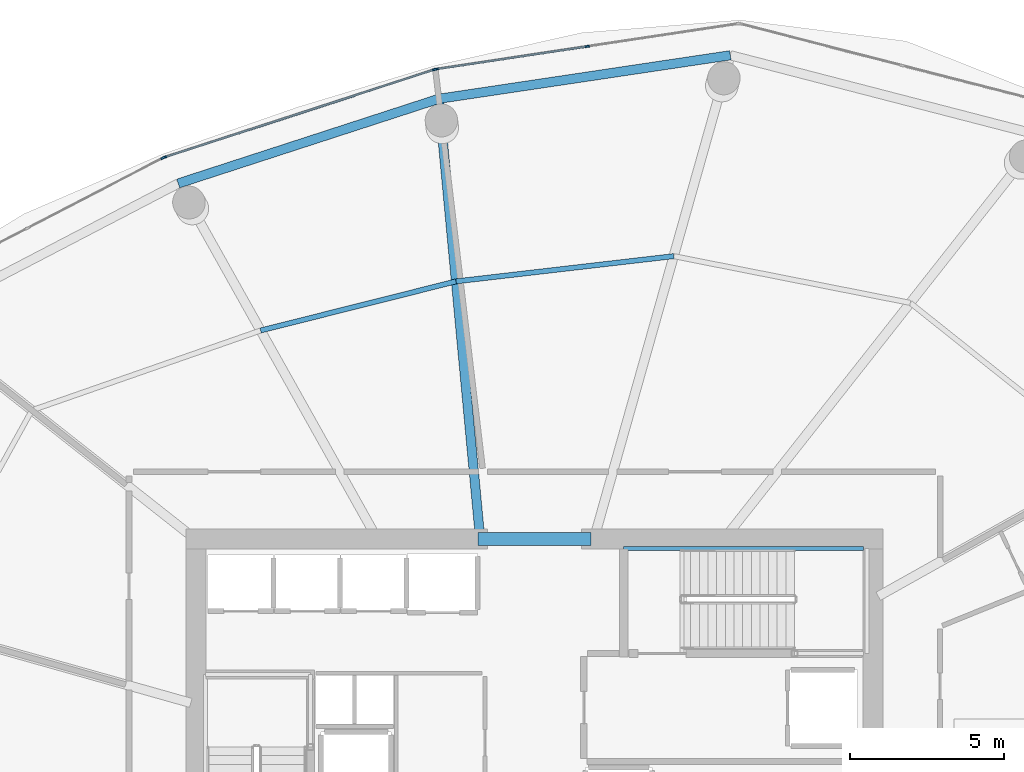
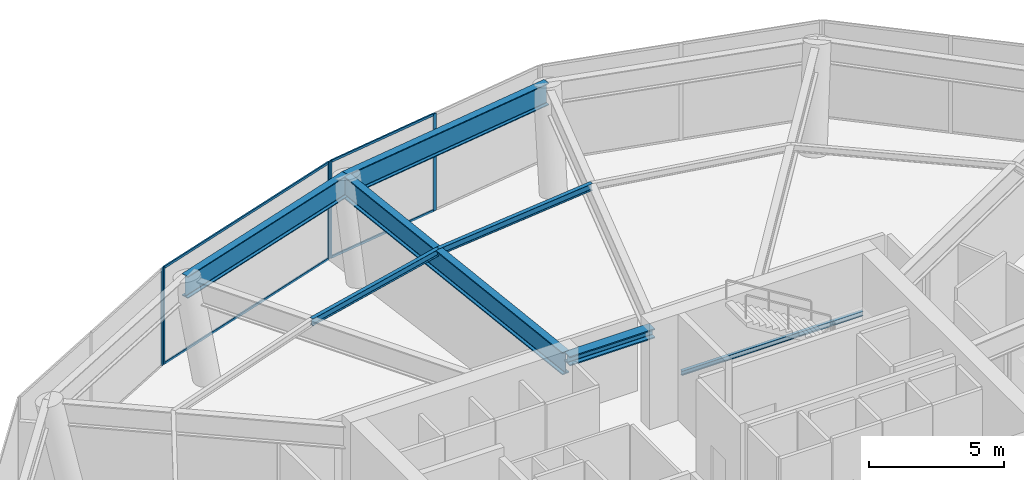
# One storey, part 12 of 22: 9 members, 7 beams, 3 elements without a shape of their own.
"""IFC4 building model written with IfcOpenShell, lengths in metres."""

from ifc_helpers import new_model, si_unit, direction, frame, origin, origin_2d, place, context, subcontext, project, spatial, rectangle, i_section, extrude, material, layer, layer_set, material_profile, profile_set, type_object, element, aggregate, save


model = new_model("IFC4")

# Units and contexts
model_context = context("Model", 3, precision=1e-05, world=origin(), true_north=direction((0.0, 1.0)))
body_context = subcontext(model_context, "Body", "Model", "MODEL_VIEW")
ifc_project = project(units=[si_unit("LENGTHUNIT", "METRE"), si_unit("AREAUNIT", "SQUARE_METRE"), si_unit("VOLUMEUNIT", "CUBIC_METRE"), si_unit("PLANEANGLEUNIT", "RADIAN"), si_unit("MASSUNIT", "GRAM", prefix="KILO")], contexts=[model_context])

# Site, building, storey
site_placement = place(None, origin())
site = spatial("IfcSite", under=ifc_project, at=site_placement, CompositionType="ELEMENT")
building_placement = place(site_placement, origin())
building = spatial("IfcBuilding", under=site, at=building_placement, Name="Kazma Halo Residences", CompositionType="ELEMENT")
storey_placement = place(building_placement, frame((0.0, 0.0, 231.89990234375)))
storey = spatial("IfcBuildingStorey", under=building, at=storey_placement, Name="L58", CompositionType="ELEMENT", Elevation=231.89990234375)

# Beams
ifc_material_1 = material(Name="Steel S355", Category="steel")
ifc_material_profile_1 = material_profile(ifc_material_1, i_section(OverallWidth=0.408935546875, OverallDepth=0.425048828125, WebThickness=0.03271484375, FlangeThickness=0.052490234375, FilletRadius=0.02001953125, at=origin_2d()), Name="W360x421")
ifc_profile_set_1 = profile_set([ifc_material_profile_1], Name="Steel S355")
beam_type_1 = type_object("IfcBeamType", Name="BM-CORE-W360H", PredefinedType="BEAM", material=ifc_profile_set_1)
beam_1_placement = place(storey_placement, frame((46.60009765625, 50.324951171875, 4.1875), z_axis=(1.0, 0.0, 0.0), x_axis=(0.0, 1.0, 0.0)))
element("IfcBeam", 1, at=beam_1_placement, inside=storey, type_object=beam_type_1, Name="L58 core coupling beam N", PredefinedType="BEAM", context=body_context, shape_type="SweptSolid", body=[
    extrude(i_section(OverallWidth=0.408935546875, OverallDepth=0.425048828125, WebThickness=0.03271484375, FlangeThickness=0.052490234375, FilletRadius=0.02001953125, at=origin_2d()), origin(), (0.0, 0.0, 1.0), 3.64990234375),
])
ifc_material_profile_2 = material_profile(ifc_material_1, i_section(OverallWidth=0.1650390625, OverallDepth=0.31005859375, WebThickness=0.005859375, FlangeThickness=0.009765625, FilletRadius=0.011962890625, at=origin_2d()), Name="W310x38.7")
ifc_profile_set_2 = profile_set([ifc_material_profile_2], Name="Steel S355")
beam_type_2 = type_object("IfcBeamType", Name="BM-SEC-W310B", PredefinedType="JOIST", material=ifc_profile_set_2)
beam_2_placement = place(storey_placement, frame((52.92919921875, 59.47802734375, 4.2451171875), z_axis=(-0.993345621892, -0.115171504586, 0.0), x_axis=(0.115171504586, -0.993345621892, 0.0)))
element("IfcBeam", 2, at=beam_2_placement, inside=storey, type_object=beam_type_2, Name="L58 circumferential floor joist 03", PredefinedType="JOIST", context=body_context, shape_type="SweptSolid", body=[
    extrude(i_section(OverallWidth=0.1650390625, OverallDepth=0.31005859375, WebThickness=0.005859375, FlangeThickness=0.009765625, FilletRadius=0.011962890625, at=origin_2d()), origin(), (0.0, 0.0, 1.0), 7.0927734375),
])
beam_3_placement = place(storey_placement, frame((45.883544921875, 58.6611328125, 4.2451171875), z_axis=(-0.969831165846, -0.243777582551, 0.0), x_axis=(0.243777582551, -0.969831165846, 0.0)))
element("IfcBeam", 3, at=beam_3_placement, inside=storey, type_object=beam_type_2, Name="L58 circumferential floor joist 04", PredefinedType="JOIST", context=body_context, shape_type="SweptSolid", body=[
    extrude(i_section(OverallWidth=0.1650390625, OverallDepth=0.31005859375, WebThickness=0.005859375, FlangeThickness=0.009765625, FilletRadius=0.011962890625, at=origin_2d()), origin(), (0.0, 0.0, 1.0), 6.520751953125),
])
ifc_material_profile_3 = material_profile(ifc_material_1, i_section(OverallWidth=0.302001953125, OverallDepth=1.01806640625, WebThickness=0.021484375, FlangeThickness=0.049072265625, FilletRadius=0.028076171875, at=origin_2d()), Name="W1000x443")
ifc_profile_set_3 = profile_set([ifc_material_profile_3], Name="Steel S355")
beam_type_3 = type_object("IfcBeamType", Name="BM-TRANS-W1000A", PredefinedType="BEAM", material=ifc_profile_set_3)
beam_4_placement = place(storey_placement, frame((46.64990234375, 50.5, 3.89111328125), z_axis=(-0.093491616101, 0.995620066953, 0.0), x_axis=(-0.995620066953, -0.093491616101, 0.0)))
element("IfcBeam", 4, at=beam_4_placement, inside=storey, type_object=beam_type_3, Name="L58 podium radial transfer girder 04", PredefinedType="BEAM", context=body_context, shape_type="SweptSolid", body=[
    extrude(i_section(OverallWidth=0.302001953125, OverallDepth=1.01806640625, WebThickness=0.021484375, FlangeThickness=0.049072265625, FilletRadius=0.028076171875, at=origin_2d()), origin(), (0.0, 0.0, 1.0), 14.1328125),
])
ifc_material_profile_4 = material_profile(ifc_material_1, i_section(OverallWidth=0.300048828125, OverallDepth=1.0, WebThickness=0.01904296875, FlangeThickness=0.0400390625, FilletRadius=0.02587890625, at=origin_2d()), Name="W1000x371")
ifc_profile_set_4 = profile_set([ifc_material_profile_4], Name="Steel S355")
beam_type_4 = type_object("IfcBeamType", Name="BM-TRANS-W1000B", PredefinedType="BEAM", material=ifc_profile_set_4)
beam_5_placement = place(storey_placement, frame((54.762939453125, 65.9794921875, 3.900146484375), z_axis=(-0.989035441627, -0.147678350495, 0.0), x_axis=(0.147678350495, -0.989035441627, 0.0)))
element("IfcBeam", 5, at=beam_5_placement, inside=storey, type_object=beam_type_4, Name="L58 perimeter ring beam 03", PredefinedType="BEAM", context=body_context, shape_type="SweptSolid", body=[
    extrude(i_section(OverallWidth=0.300048828125, OverallDepth=1.0, WebThickness=0.01904296875, FlangeThickness=0.0400390625, FilletRadius=0.02587890625, at=origin_2d()), origin(), (0.0, 0.0, 1.0), 9.538818359375),
])
beam_6_placement = place(storey_placement, frame((45.32861328125, 64.57080078125, 3.900146484375), z_axis=(-0.951053893407, -0.309025066679, 0.0), x_axis=(0.309025066679, -0.951053893407, 0.0)))
element("IfcBeam", 6, at=beam_6_placement, inside=storey, type_object=beam_type_4, Name="L58 perimeter ring beam 04", PredefinedType="BEAM", context=body_context, shape_type="SweptSolid", body=[
    extrude(i_section(OverallWidth=0.300048828125, OverallDepth=1.0, WebThickness=0.01904296875, FlangeThickness=0.0400390625, FilletRadius=0.02587890625, at=origin_2d()), origin(), (0.0, 0.0, 1.0), 8.8681640625),
])
ifc_material_profile_5 = material_profile(ifc_material_1, i_section(OverallWidth=0.133056640625, OverallDepth=0.20703125, WebThickness=0.005859375, FlangeThickness=0.00830078125, FilletRadius=0.010009765625, at=origin_2d()), Name="W200x26.6")
ifc_profile_set_5 = profile_set([ifc_material_profile_5], Name="Steel S355")
beam_type_5 = type_object("IfcBeamType", Name="BM-TRIM-W200", PredefinedType="BEAM", material=ifc_profile_set_5)
beam_7_placement = place(storey_placement, frame((51.31005859375, 50.02001953125, 2.09521484375), z_axis=(1.0, 0.0, 0.0), x_axis=(0.0, 1.0, 0.0)))
element("IfcBeam", 7, at=beam_7_placement, inside=storey, type_object=beam_type_5, Name="L58 ST-02 landing north wall ledger", PredefinedType="BEAM", context=body_context, shape_type="SweptSolid", body=[
    extrude(i_section(OverallWidth=0.133056640625, OverallDepth=0.20703125, WebThickness=0.005859375, FlangeThickness=0.00830078125, FilletRadius=0.010009765625, at=origin_2d()), origin(), (0.0, 0.0, 1.0), 7.760009765625),
])

# Curtain wall, members
ifc_material_2 = material(Name="Aluminium AW-6063 T6 and Triple-Silver Low-E Glass", Category="aluminium")
ifc_layer = layer(ifc_material_2, 0.139892578125)
ifc_layer_set = layer_set([ifc_layer], Name="Aluminium AW-6063 T6 and Triple-Silver Low-E Glass")
curtain_wall_type = type_object("IfcCurtainWallType", Name="CW-SYS-5", PredefinedType="NOTDEFINED", material=ifc_layer_set)
curtain_wall_1_placement = place(storey_placement, origin())
curtain_wall_1 = element("IfcCurtainWall", 8, at=curtain_wall_1_placement, inside=storey, type_object=curtain_wall_type, Name="L58 unitised curtain wall B03", PredefinedType="NOTDEFINED")
ifc_material_3 = material(Name="Aluminium AW-6063 T6", Category="aluminium")
ifc_material_profile_6 = material_profile(ifc_material_3, rectangle(XDim=0.06005859375, YDim=0.139892578125, at=origin_2d()), Name="CWM-60x140")
ifc_profile_set_6 = profile_set([ifc_material_profile_6], Name="Aluminium AW-6063 T6")
member_type_1 = type_object("IfcMemberType", Name="CW-SYS-5-MUL", PredefinedType="MULLION", material=ifc_profile_set_6)
member_1_placement = place(storey_placement, frame((50.1337890625, 66.265625, 0.0), z_axis=(0.0, 0.0, 1.0), x_axis=(0.148733218613, -0.988877358261, 0.0)))
member_1 = element("IfcMember", 9, at=member_1_placement, type_object=member_type_1, Name="CWS-5 mullion 2", PredefinedType="MULLION", context=body_context, shape_type="SweptSolid", body=[
    extrude(rectangle(XDim=0.06005859375, YDim=0.139892578125, at=origin_2d()), origin(), (0.0, 0.0, 1.0), 4.400146484375),
])
member_2_placement = place(storey_placement, frame((45.2451171875, 65.5302734375, 0.0), z_axis=(0.0, 0.0, 1.0), x_axis=(0.148733218613, -0.988877358261, 0.0)))
member_2 = element("IfcMember", 10, at=member_2_placement, type_object=member_type_1, Name="CWS-5 mullion 3", PredefinedType="MULLION", context=body_context, shape_type="SweptSolid", body=[
    extrude(rectangle(XDim=0.06005859375, YDim=0.139892578125, at=origin_2d()), origin(), (0.0, 0.0, 1.0), 4.400146484375),
])

curtain_wall_2_placement = place(storey_placement, origin())
curtain_wall_2 = element("IfcCurtainWall", 11, at=curtain_wall_2_placement, inside=storey, type_object=curtain_wall_type, Name="L58 unitised curtain wall B04", PredefinedType="NOTDEFINED")
member_3_placement = place(storey_placement, frame((45.18701171875, 65.5166015625, 0.0), z_axis=(0.0, 0.0, 1.0), x_axis=(0.309020023006, -0.951055532228, 0.0)))
member_3 = element("IfcMember", 12, at=member_3_placement, type_object=member_type_1, Name="CWS-5 mullion 1", PredefinedType="MULLION", context=body_context, shape_type="SweptSolid", body=[
    extrude(rectangle(XDim=0.06005859375, YDim=0.139892578125, at=origin_2d()), origin(), (0.0, 0.0, 1.0), 4.400146484375),
])
member_4_placement = place(storey_placement, frame((36.453125, 62.6787109375, 0.0), z_axis=(0.0, 0.0, 1.0), x_axis=(0.309020023006, -0.951055532228, 0.0)))
member_4 = element("IfcMember", 13, at=member_4_placement, type_object=member_type_1, Name="CWS-5 mullion 2", PredefinedType="MULLION", context=body_context, shape_type="SweptSolid", body=[
    extrude(rectangle(XDim=0.06005859375, YDim=0.139892578125, at=origin_2d()), origin(), (0.0, 0.0, 1.0), 4.400146484375),
])

# Curtain wall, member
curtain_wall_3_placement = place(storey_placement, origin())
curtain_wall_3 = element("IfcCurtainWall", 14, at=curtain_wall_3_placement, inside=storey, type_object=curtain_wall_type, Name="L58 unitised curtain wall B05", PredefinedType="NOTDEFINED")
member_5_placement = place(storey_placement, frame((36.39794921875, 62.65576171875, 0.0), z_axis=(0.0, 0.0, 1.0), x_axis=(0.460917138163, -0.88744317663, 0.0)))
member_5 = element("IfcMember", 15, at=member_5_placement, type_object=member_type_1, Name="CWS-5 mullion 1", PredefinedType="MULLION", context=body_context, shape_type="SweptSolid", body=[
    extrude(rectangle(XDim=0.06005859375, YDim=0.139892578125, at=origin_2d()), origin(), (0.0, 0.0, 1.0), 4.400146484375),
])
aggregate(curtain_wall_3, [member_5])

# Member
ifc_material_profile_7 = material_profile(ifc_material_3, rectangle(XDim=0.06005859375, YDim=0.10498046875, at=origin_2d()), Name="CWT-60x105")
ifc_profile_set_7 = profile_set([ifc_material_profile_7], Name="Aluminium AW-6063 T6")
member_type_2 = type_object("IfcMemberType", Name="CW-SYS-5-TRN", PredefinedType="USERDEFINED", material=ifc_profile_set_7)
member_6_placement = place(storey_placement, frame((50.104248046875, 66.26123046875, 0.030029296875), z_axis=(-0.988878708904, -0.14872423836, 0.0), x_axis=(0.14872423836, -0.988878708904, 0.0)))
member_6 = element("IfcMember", 16, at=member_6_placement, type_object=member_type_2, Name="CWS-5 transom 2.1", ObjectType="TRANSOM", PredefinedType="USERDEFINED", context=body_context, shape_type="SweptSolid", body=[
    extrude(rectangle(XDim=0.06005859375, YDim=0.10498046875, at=origin_2d()), origin(), (0.0, 0.0, 1.0), 4.883544921875),
])

member_7_placement = place(storey_placement, frame((50.104248046875, 66.26123046875, 4.3701171875), z_axis=(-0.988878708904, -0.14872423836, 0.0), x_axis=(0.14872423836, -0.988878708904, 0.0)))
member_7 = element("IfcMember", 17, at=member_7_placement, type_object=member_type_2, Name="CWS-5 transom 2.2", ObjectType="TRANSOM", PredefinedType="USERDEFINED", context=body_context, shape_type="SweptSolid", body=[
    extrude(rectangle(XDim=0.06005859375, YDim=0.10498046875, at=origin_2d()), origin(), (0.0, 0.0, 1.0), 4.883544921875),
])

aggregate(curtain_wall_1, [member_1, member_2, member_6, member_7])

member_8_placement = place(storey_placement, frame((45.158447265625, 65.50732421875, 0.030029296875), z_axis=(-0.951056287628, -0.309017698138, 0.0), x_axis=(0.309017698138, -0.951056287628, 0.0)))
member_8 = element("IfcMember", 18, at=member_8_placement, type_object=member_type_2, Name="CWS-5 transom 1.1", ObjectType="TRANSOM", PredefinedType="USERDEFINED", context=body_context, shape_type="SweptSolid", body=[
    extrude(rectangle(XDim=0.06005859375, YDim=0.10498046875, at=origin_2d()), origin(), (0.0, 0.0, 1.0), 9.12353515625),
])

member_9_placement = place(storey_placement, frame((45.158447265625, 65.50732421875, 4.3701171875), z_axis=(-0.951056287628, -0.309017698138, 0.0), x_axis=(0.309017698138, -0.951056287628, 0.0)))
member_9 = element("IfcMember", 19, at=member_9_placement, type_object=member_type_2, Name="CWS-5 transom 1.2", ObjectType="TRANSOM", PredefinedType="USERDEFINED", context=body_context, shape_type="SweptSolid", body=[
    extrude(rectangle(XDim=0.06005859375, YDim=0.10498046875, at=origin_2d()), origin(), (0.0, 0.0, 1.0), 9.12353515625),
])

aggregate(curtain_wall_2, [member_3, member_4, member_8, member_9])

save(model, "model.ifc")
